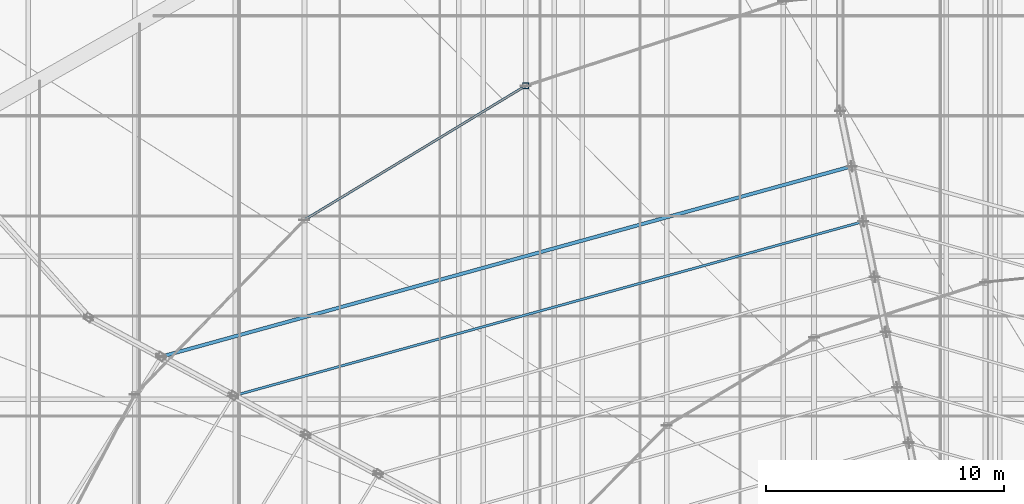
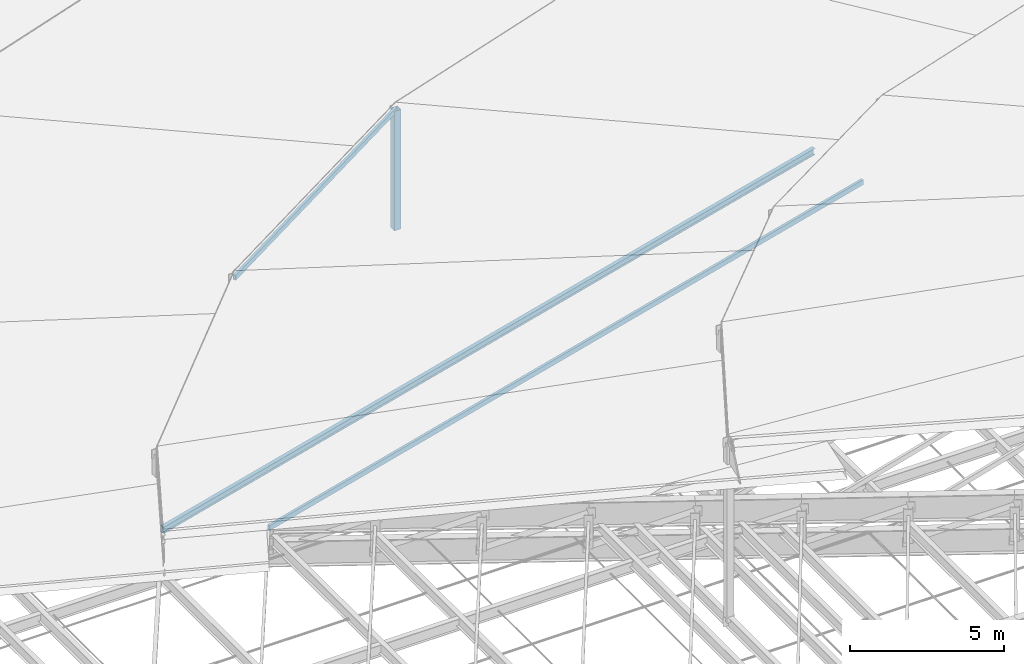
# One storey, part 99 of 184: 4 members.
"""IFC4 building model written with IfcOpenShell, lengths in metres."""

import ifcopenshell
import ifcopenshell.guid

model = None  # the IFC model being written
_history = None  # IfcOwnerHistory: only IFC2X3 demands one
_inside = {}  # id of a spatial element -> (the spatial element, [elements in it])
_under = {}  # id of a project, library or spatial element -> (it, [spatial elements below it])
_declared = {}  # id of a project -> (the project, [libraries it declares])
_typed = {}  # id of a type object -> (the type object, [elements of that type])
_made_of = {}  # id of a material, layer set ... -> (it, [elements and type objects made of it])


def new_model(schema):
    """Start an empty IFC model of exactly this schema.

    Asked for "IFC4X3", IfcOpenShell would pick the latest addendum, in which some entities
    have other attributes; the version numbers below select the first issue.
    IFC2X3 requires an IfcOwnerHistory on every rooted entity: one is made here for all.
    """
    global model, _history
    if schema == "IFC4X3":
        model = ifcopenshell.file(schema_version=(4, 3, 0, 0))
    else:
        model = ifcopenshell.file(schema=schema)
    _inside.clear()
    _under.clear()
    _declared.clear()
    _typed.clear()
    _made_of.clear()
    _history = None
    if model.schema == "IFC2X3":
        org = make("IfcOrganization", Name="unknown")
        user = make(
            "IfcPersonAndOrganization",
            ThePerson=make("IfcPerson", FamilyName="unknown"),
            TheOrganization=org,
        )
        app = make(
            "IfcApplication",
            ApplicationDeveloper=org,
            Version="unknown",
            ApplicationFullName="unknown",
            ApplicationIdentifier="unknown",
        )
        _history = make(
            "IfcOwnerHistory",
            OwningUser=user,
            OwningApplication=app,
            ChangeAction="ADDED",
            CreationDate=0,
        )
    return model


def make(cls, **values):
    """One entity of the class cls with the attributes given. An attribute that is None is left unset."""
    return model.create_entity(
        cls, **{name: value for name, value in values.items() if value is not None}
    )


def rooted(cls, **values):
    """An entity with a GlobalId (a new one), such as an element, a storey or a relation."""
    return make(cls, GlobalId=ifcopenshell.guid.new(), OwnerHistory=_history, **values)


def si_unit(unit_type, name, prefix=None):
    """IfcSIUnit, for example si_unit("LENGTHUNIT", "METRE", prefix="MILLI")."""
    return make("IfcSIUnit", UnitType=unit_type, Prefix=prefix, Name=name)


def assignment(units):
    """IfcUnitAssignment: the units of a project."""
    return None if units is None else make("IfcUnitAssignment", Units=units)


def point(xyz):
    """IfcCartesianPoint."""
    return None if xyz is None else make("IfcCartesianPoint", Coordinates=xyz)


def direction(xyz):
    """IfcDirection."""
    return None if xyz is None else make("IfcDirection", DirectionRatios=xyz)


def frame(location, z_axis=None, x_axis=None):
    """IfcAxis2Placement3D, a coordinate frame: its origin and axes. An axis left out is left unset."""
    return make(
        "IfcAxis2Placement3D",
        Location=point(location),
        Axis=direction(z_axis),
        RefDirection=direction(x_axis),
    )


def frame_2d(location, x_axis=None):
    """IfcAxis2Placement2D, a coordinate frame in the plane: its origin and x axis."""
    return make(
        "IfcAxis2Placement2D", Location=point(location), RefDirection=direction(x_axis)
    )


def origin():
    """The frame at (0, 0, 0) with its axes left unset."""
    return frame((0.0, 0.0, 0.0))


def origin_2d():
    """The frame at (0, 0) in the plane with its x axis left unset."""
    return frame_2d((0.0, 0.0))


def place(relative_to, where):
    """IfcLocalPlacement: puts the frame where relative to a parent placement (None: the world)."""
    return make(
        "IfcLocalPlacement", PlacementRelTo=relative_to, RelativePlacement=where
    )


def context(
    kind, dimensions, precision=None, world=None, true_north=None, identifier=None
):
    """IfcGeometricRepresentationContext, for example the 3D "Model" context."""
    return make(
        "IfcGeometricRepresentationContext",
        ContextIdentifier=identifier,
        ContextType=kind,
        CoordinateSpaceDimension=dimensions,
        Precision=precision,
        WorldCoordinateSystem=world,
        TrueNorth=true_north,
    )


def subcontext(parent, identifier, kind, view, scale=None):
    """IfcGeometricRepresentationSubContext, for example "Body" below "Model"."""
    return make(
        "IfcGeometricRepresentationSubContext",
        ContextIdentifier=identifier,
        ContextType=kind,
        ParentContext=parent,
        TargetScale=scale,
        TargetView=view,
    )


def project(units=None, contexts=None):
    """IfcProject with its units and contexts."""
    return rooted(
        "IfcProject",
        Name="project",
        RepresentationContexts=contexts,
        UnitsInContext=assignment(units),
    )


def spatial(cls, under=None, at=None, **own):
    """A site, building, storey or space (cls), placed at a placement, below another one or the project."""
    s = rooted(cls, ObjectPlacement=at, **own)
    if under is not None:
        _under.setdefault(under.id(), (under, []))[1].append(s)
    return s


def profile(cls, at=None, kind="AREA", **sizes):
    """A parametric profile (cls). Its sizes go by their IFC names, for example OverallWidth=200.0."""
    return make(cls, ProfileType=kind, Position=at, **sizes)


def hollow_rectangle(**sizes):
    """IfcRectangleHollowProfileDef."""
    return profile("IfcRectangleHollowProfileDef", **sizes)


def i_section(**sizes):
    """IfcIShapeProfileDef."""
    return profile("IfcIShapeProfileDef", **sizes)


def extrude(swept, where, along, depth):
    """IfcExtrudedAreaSolid: the profile swept, set in the frame where, extruded along a direction by depth."""
    return make(
        "IfcExtrudedAreaSolid",
        SweptArea=swept,
        Position=where,
        ExtrudedDirection=direction(along),
        Depth=depth,
    )


def shape(context_of_items, identifier, shape_type, items):
    """IfcShapeRepresentation: the items that make up one representation, for example the "Body"."""
    return make(
        "IfcShapeRepresentation",
        ContextOfItems=context_of_items,
        RepresentationIdentifier=identifier,
        RepresentationType=shape_type,
        Items=items,
    )


def material(Name=None, Category=None):
    """IfcMaterial."""
    return make("IfcMaterial", Name=Name, Category=Category)


def material_profile(
    of_material, cross_section, Name=None, Category=None, Priority=None
):
    """IfcMaterialProfile: a cross section and its material."""
    return make(
        "IfcMaterialProfile",
        Name=Name,
        Material=of_material,
        Profile=cross_section,
        Priority=Priority,
        Category=Category,
    )


def profile_set(profiles, Name=None, composite=None):
    """IfcMaterialProfileSet."""
    return make(
        "IfcMaterialProfileSet",
        Name=Name,
        MaterialProfiles=profiles,
        CompositeProfile=composite,
    )


def made_of(thing, what):
    """Note that an element or type object is made of a material, layer set ...; save() writes the relation."""
    if what is not None:
        _made_of.setdefault(what.id(), (what, []))[1].append(thing)
    return thing


def type_object(cls, material=None, **own):
    """A type object (cls), such as IfcWallType, which elements share."""
    return made_of(rooted(cls, **own), material)


def element(
    cls,
    number,
    at=None,
    inside=None,
    cuts=None,
    type_object=None,
    material=None,
    context=None,
    identifier="Body",
    shape_type=None,
    held_by="IfcProductDefinitionShape",
    body=None,
    shapes=None,
    **own,
):
    """One element of the class cls, such as IfcWall. Its Tag is "e" and its number.

    at: its placement. inside: the storey or other place that contains it. cuts: it is an
    opening in that element (IfcRelVoidsElement). A single representation is given by context,
    identifier, shape_type and body (its items); several are given by shapes. held_by: the class
    of the entity that holds the representations. save() writes the other relations.
    """
    e = rooted(cls, Tag="e%d" % number, ObjectPlacement=at, **own)
    if body is not None:
        shapes = [shape(context, identifier, shape_type, body)]
    if shapes is not None:
        e.Representation = make(held_by, Representations=shapes)
    if inside is not None:
        _inside.setdefault(inside.id(), (inside, []))[1].append(e)
    if cuts is not None:
        rooted(
            "IfcRelVoidsElement", RelatingBuildingElement=cuts, RelatedOpeningElement=e
        )
    if type_object is not None:
        _typed.setdefault(type_object.id(), (type_object, []))[1].append(e)
    return made_of(e, material)


def aggregate(whole, parts):
    """IfcRelAggregates: a whole, such as a stair, and the parts it consists of."""
    return rooted("IfcRelAggregates", RelatingObject=whole, RelatedObjects=parts)


def save(model, path):
    """Write the relations noted so far, then the file.

    IfcRelAggregates (storeys below a building ...), IfcRelContainedInSpatialStructure (elements
    in a storey), IfcRelDefinesByType, IfcRelAssociatesMaterial and IfcRelDeclares: one each for
    every whole, place, type object, material and project.
    """
    for whole, parts in _under.values():
        aggregate(whole, parts)
    for where, things in _inside.values():
        rooted(
            "IfcRelContainedInSpatialStructure",
            RelatedElements=things,
            RelatingStructure=where,
        )
    for kind, things in _typed.values():
        rooted("IfcRelDefinesByType", RelatedObjects=things, RelatingType=kind)
    for what, things in _made_of.values():
        rooted("IfcRelAssociatesMaterial", RelatedObjects=things, RelatingMaterial=what)
    for by, libraries in _declared.values():
        rooted("IfcRelDeclares", RelatingContext=by, RelatedDefinitions=libraries)
    model.write(path)


model = new_model("IFC4")

# Units and contexts
model_context = context("Model", 3, precision=1e-05, world=origin(), true_north=direction((0.0, 1.0)))
body_context = subcontext(model_context, "Body", "Model", "MODEL_VIEW")
ifc_project = project(units=[si_unit("LENGTHUNIT", "METRE"), si_unit("AREAUNIT", "SQUARE_METRE"), si_unit("VOLUMEUNIT", "CUBIC_METRE"), si_unit("PLANEANGLEUNIT", "RADIAN"), si_unit("MASSUNIT", "GRAM", prefix="KILO")], contexts=[model_context])

# Site, building, storey
site_placement = place(None, origin())
site = spatial("IfcSite", under=ifc_project, at=site_placement, CompositionType="ELEMENT")
building_placement = place(site_placement, origin())
building = spatial("IfcBuilding", under=site, at=building_placement, Name="Kalgoora Escarpment Arena", CompositionType="ELEMENT")
storey_placement = place(building_placement, frame((0.0, 0.0, 27.60009765625)))
storey = spatial("IfcBuildingStorey", under=building, at=storey_placement, Name="Roof Level", CompositionType="ELEMENT", Elevation=27.60009765625)

# Members
ifc_material_1 = material(Name="Structural steel C450 (450 MPa)", Category="steel")
ifc_material_profile_1 = material_profile(ifc_material_1, hollow_rectangle(XDim=0.25, YDim=0.25, WallThickness=0.012451171875, at=origin_2d()))
ifc_profile_set_1 = profile_set([ifc_material_profile_1], Name="Structural steel C450 (450 MPa)")
member_type_1 = type_object("IfcMemberType", Name="MEM-PETAL-POST", PredefinedType="POST", material=ifc_profile_set_1)
member_1_placement = place(storey_placement, frame((79.199951171875, 94.6572265625, -1.02001953125), z_axis=(0.0, 0.0, 1.0), x_axis=(1.0, 0.0, 0.0)))
element("IfcMember", 1, at=member_1_placement, inside=storey, type_object=member_type_1, Name="Petal RP3 vertical support post S09", PredefinedType="POST", context=body_context, shape_type="SweptSolid", body=[
    extrude(hollow_rectangle(XDim=0.25, YDim=0.25, WallThickness=0.012451171875, at=origin_2d()), origin(), (0.0, 0.0, 1.0), 4.724853515625),
])
ifc_material_2 = material(Name="Structural steel C350 (350 MPa)", Category="steel")
ifc_material_profile_2 = material_profile(ifc_material_2, hollow_rectangle(XDim=0.10009765625, YDim=0.199951171875, WallThickness=0.009033203125, at=origin_2d()))
ifc_profile_set_2 = profile_set([ifc_material_profile_2], Name="Structural steel C350 (350 MPa)")
member_type_2 = type_object("IfcMemberType", Name="MEM-PURLIN-RHS", PredefinedType="PURLIN", material=ifc_profile_set_2)
member_2_placement = place(storey_placement, frame((93.360107421875, 88.9599609375, -0.68017578125), z_axis=(-0.963778148735, -0.266705230583, 0.0), x_axis=(0.266705230583, -0.963778148735, 0.0)))
element("IfcMember", 2, at=member_2_placement, inside=storey, type_object=member_type_2, Name="Roof circumferential purlin ring 3 sector 3", PredefinedType="PURLIN", context=body_context, shape_type="SweptSolid", body=[
    extrude(hollow_rectangle(XDim=0.10009765625, YDim=0.199951171875, WallThickness=0.009033203125, at=origin_2d()), origin(), (0.0, 0.0, 1.0), 27.41064453125),
])
member_3_placement = place(storey_placement, frame((79.199951171875, 94.6572265625, 3.684814453125), z_axis=(-0.855095362894, -0.518470751689, 0.0), x_axis=(0.518470751689, -0.855095362894, 0.0)))
element("IfcMember", 3, at=member_3_placement, inside=storey, type_object=member_type_2, Name="Petal RP3 eave support ring purlin S09", PredefinedType="PURLIN", context=body_context, shape_type="SweptSolid", body=[
    extrude(hollow_rectangle(XDim=0.10009765625, YDim=0.199951171875, WallThickness=0.009033203125, at=origin_2d()), origin(), (0.0, 0.0, 1.0), 10.8505859375),
])
ifc_material_3 = material(Name="Structural steel AS/NZS 3679 (300 MPa)", Category="steel")
ifc_material_profile_3 = material_profile(ifc_material_3, i_section(OverallWidth=0.14599609375, OverallDepth=0.256103515625, WebThickness=0.00634765625, FlangeThickness=0.010986328125, at=origin_2d()))
ifc_profile_set_3 = profile_set([ifc_material_profile_3], Name="Structural steel AS/NZS 3679 (300 MPa)")
member_type_3 = type_object("IfcMemberType", Name="MEM-PURLIN-UB", PredefinedType="PURLIN", material=ifc_profile_set_3)
member_4_placement = place(storey_placement, frame((92.8798828125, 91.280029296875, -0.690185546875), z_axis=(-0.964022479986, -0.265820725455, 0.0), x_axis=(0.265820725455, -0.964022479986, 0.0)))
element("IfcMember", 4, at=member_4_placement, inside=storey, type_object=member_type_3, Name="Roof circumferential purlin ring 2 sector 3", PredefinedType="PURLIN", context=body_context, shape_type="SweptSolid", body=[
    extrude(i_section(OverallWidth=0.14599609375, OverallDepth=0.256103515625, WebThickness=0.00634765625, FlangeThickness=0.010986328125, at=origin_2d()), origin(), (0.0, 0.0, 1.0), 30.058837890625),
])

save(model, "model.ifc")
